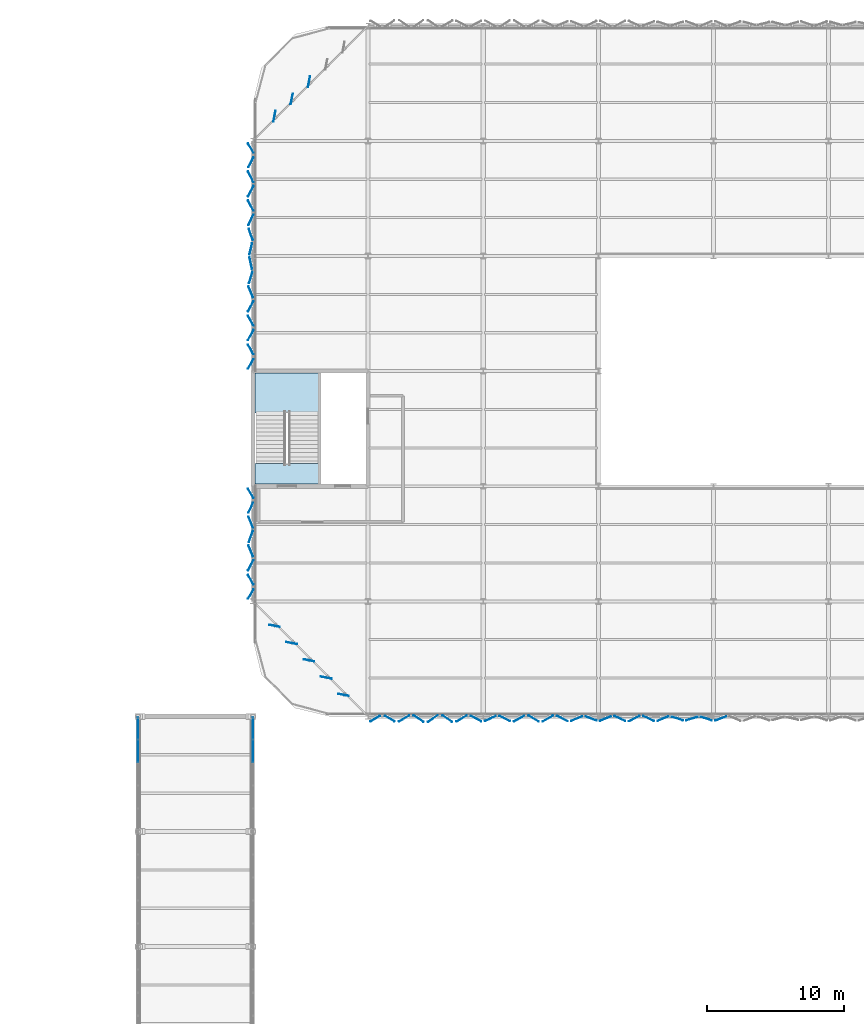
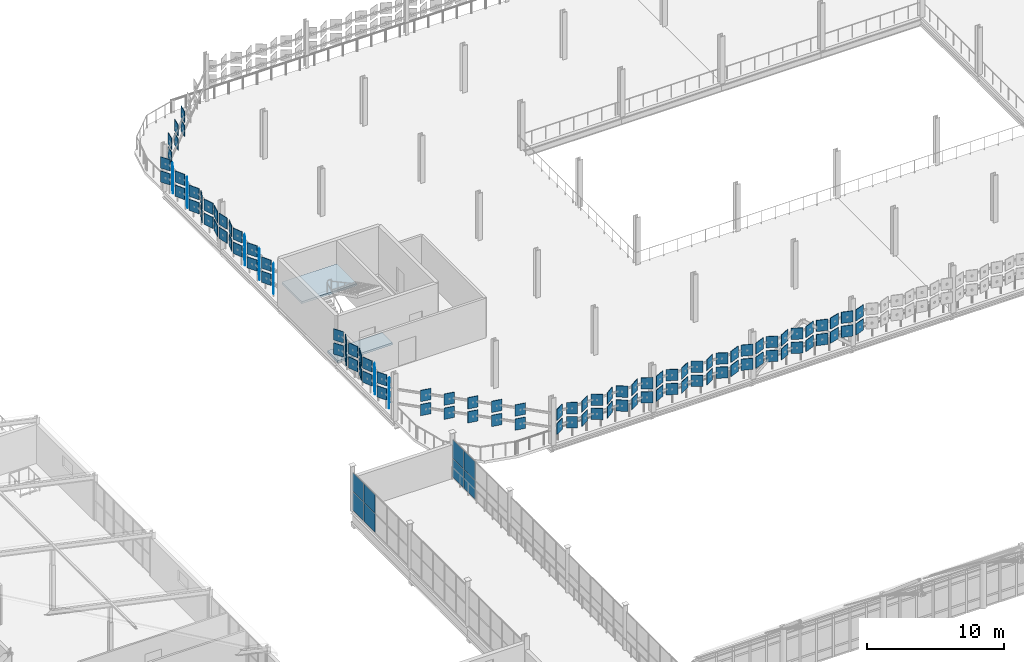
# One storey, part 143 of 184: 122 plates, 2 slabs, 3 elements without a shape of their own.
"""IFC4 building model written with IfcOpenShell, lengths in metres."""

from ifc_helpers import new_model, si_unit, direction, frame, origin, origin_2d, place, context, subcontext, project, spatial, polyline, rectangle, outline, extrude, material, layer, layer_set, type_object, element, aggregate, save


model = new_model("IFC4")

# Units and contexts
model_context = context("Model", 3, precision=1e-05, world=origin(), true_north=direction((0.0, 1.0)))
body_context = subcontext(model_context, "Body", "Model", "MODEL_VIEW")
ifc_project = project(units=[si_unit("LENGTHUNIT", "METRE"), si_unit("AREAUNIT", "SQUARE_METRE"), si_unit("VOLUMEUNIT", "CUBIC_METRE"), si_unit("PLANEANGLEUNIT", "RADIAN"), si_unit("MASSUNIT", "GRAM", prefix="KILO")], contexts=[model_context])

# Site, building, storey
site_placement = place(None, origin())
site = spatial("IfcSite", under=ifc_project, at=site_placement, CompositionType="ELEMENT")
building_placement = place(site_placement, origin())
building = spatial("IfcBuilding", under=site, at=building_placement, Name="Qalvenar Corner Mobility Hub", CompositionType="ELEMENT")
storey_placement = place(building_placement, frame((0.0, 0.0, 9.0)))
storey = spatial("IfcBuildingStorey", under=building, at=storey_placement, Name="L02", CompositionType="ELEMENT", Elevation=9.0)

# Curtain wall, plates
ifc_material_1 = material(Name="Anodised Aluminium and Low-E Glazing", Category="aluminium")
ifc_layer_1 = layer(ifc_material_1, 0.1201171875)
ifc_layer_set_1 = layer_set([ifc_layer_1], Name="Anodised Aluminium and Low-E Glazing")
curtain_wall_type = type_object("IfcCurtainWallType", Name="CW-BRG-84X28", PredefinedType="NOTDEFINED", material=ifc_layer_set_1)
curtain_wall_1_placement = place(storey_placement, origin())
curtain_wall_1 = element("IfcCurtainWall", 1, at=curtain_wall_1_placement, inside=storey, type_object=curtain_wall_type, Name="Glazed Curtain Wall CW-BRG-L02-W3", PredefinedType="NOTDEFINED")
ifc_material_2 = material(Name="Solar-Control Low-E Double Glazing", Category="glass")
ifc_layer_2 = layer(ifc_material_2, 0.028076171875)
ifc_layer_set_2 = layer_set([ifc_layer_2], Name="Solar-Control Low-E Double Glazing")
plate_type_1 = type_object("IfcPlateType", Name="PLT-CWP-GLZ1", PredefinedType="CURTAIN_PANEL", material=ifc_layer_set_2)
plate_1_placement = place(storey_placement, frame((50.39990234375, 66.344970703125, 0.054931640625), z_axis=(0.0, 0.0, 1.0), x_axis=(0.0, -1.0, 0.0)))
plate_1 = element("IfcPlate", 2, at=plate_1_placement, type_object=plate_type_1, Name="CW-11 panel 1.1", PredefinedType="CURTAIN_PANEL", context=body_context, shape_type="SweptSolid", body=[
    extrude(rectangle(XDim=1.590087890625, YDim=0.028076171875, at=origin_2d()), origin(), (0.0, 0.0, 1.0), 1.642578125),
])
plate_2_placement = place(storey_placement, frame((50.39990234375, 66.344970703125, 1.75244140625), z_axis=(0.0, 0.0, 1.0), x_axis=(0.0, -1.0, 0.0)))
plate_2 = element("IfcPlate", 3, at=plate_2_placement, type_object=plate_type_1, Name="CW-11 panel 1.2", PredefinedType="CURTAIN_PANEL", context=body_context, shape_type="SweptSolid", body=[
    extrude(rectangle(XDim=1.590087890625, YDim=0.028076171875, at=origin_2d()), origin(), (0.0, 0.0, 1.0), 1.642578125),
])
plate_3_placement = place(storey_placement, frame((50.39990234375, 64.679931640625, 0.054931640625), z_axis=(0.0, 0.0, 1.0), x_axis=(0.0, -1.0, 0.0)))
plate_3 = element("IfcPlate", 4, at=plate_3_placement, type_object=plate_type_1, Name="CW-11 panel 2.1", PredefinedType="CURTAIN_PANEL", context=body_context, shape_type="SweptSolid", body=[
    extrude(rectangle(XDim=1.6201171875, YDim=0.028076171875, at=origin_2d()), origin(), (0.0, 0.0, 1.0), 1.642578125),
])
plate_4_placement = place(storey_placement, frame((50.39990234375, 64.679931640625, 1.75244140625), z_axis=(0.0, 0.0, 1.0), x_axis=(0.0, -1.0, 0.0)))
plate_4 = element("IfcPlate", 5, at=plate_4_placement, type_object=plate_type_1, Name="CW-11 panel 2.2", PredefinedType="CURTAIN_PANEL", context=body_context, shape_type="SweptSolid", body=[
    extrude(rectangle(XDim=1.6201171875, YDim=0.028076171875, at=origin_2d()), origin(), (0.0, 0.0, 1.0), 1.642578125),
])
aggregate(curtain_wall_1, [plate_1, plate_2, plate_3, plate_4])

curtain_wall_2_placement = place(storey_placement, origin())
curtain_wall_2 = element("IfcCurtainWall", 6, at=curtain_wall_2_placement, inside=storey, type_object=curtain_wall_type, Name="Glazed Curtain Wall CW-BRG-L02-E3", PredefinedType="NOTDEFINED")
plate_5_placement = place(storey_placement, frame((58.800048828125, 64.679931640625, 0.054931640625), z_axis=(0.0, 0.0, 1.0), x_axis=(0.0, 1.0, 0.0)))
plate_5 = element("IfcPlate", 7, at=plate_5_placement, type_object=plate_type_1, Name="CW-11 panel 4.1", PredefinedType="CURTAIN_PANEL", context=body_context, shape_type="SweptSolid", body=[
    extrude(rectangle(XDim=1.6201171875, YDim=0.028076171875, at=origin_2d()), origin(), (0.0, 0.0, 1.0), 1.642578125),
])
plate_6_placement = place(storey_placement, frame((58.800048828125, 64.679931640625, 1.75244140625), z_axis=(0.0, 0.0, 1.0), x_axis=(0.0, 1.0, 0.0)))
plate_6 = element("IfcPlate", 8, at=plate_6_placement, type_object=plate_type_1, Name="CW-11 panel 4.2", PredefinedType="CURTAIN_PANEL", context=body_context, shape_type="SweptSolid", body=[
    extrude(rectangle(XDim=1.6201171875, YDim=0.028076171875, at=origin_2d()), origin(), (0.0, 0.0, 1.0), 1.642578125),
])
plate_7_placement = place(storey_placement, frame((58.800048828125, 66.344970703125, 0.054931640625), z_axis=(0.0, 0.0, 1.0), x_axis=(0.0, 1.0, 0.0)))
plate_7 = element("IfcPlate", 9, at=plate_7_placement, type_object=plate_type_1, Name="CW-11 panel 5.1", PredefinedType="CURTAIN_PANEL", context=body_context, shape_type="SweptSolid", body=[
    extrude(rectangle(XDim=1.590087890625, YDim=0.028076171875, at=origin_2d()), origin(), (0.0, 0.0, 1.0), 1.642578125),
])
plate_8_placement = place(storey_placement, frame((58.800048828125, 66.344970703125, 1.75244140625), z_axis=(0.0, 0.0, 1.0), x_axis=(0.0, 1.0, 0.0)))
plate_8 = element("IfcPlate", 10, at=plate_8_placement, type_object=plate_type_1, Name="CW-11 panel 5.2", PredefinedType="CURTAIN_PANEL", context=body_context, shape_type="SweptSolid", body=[
    extrude(rectangle(XDim=1.590087890625, YDim=0.028076171875, at=origin_2d()), origin(), (0.0, 0.0, 1.0), 1.642578125),
])
aggregate(curtain_wall_2, [plate_5, plate_6, plate_7, plate_8])

# Plates
ifc_material_3 = material(Name="Amber-Bronze Anodised Aluminium", Category="aluminium")
ifc_layer_3 = layer(ifc_material_3, 0.0400390625)
ifc_layer_set_3 = layer_set([ifc_layer_3], Name="Amber-Bronze Anodised Aluminium")
plate_type_2 = type_object("IfcPlateType", Name="PLT-XC-L2-CRN", PredefinedType="SHEET", material=ifc_layer_set_3)
for number, where, z_axis, x_axis, name in (
    (11, (67.72509765625, 67.0400390625, 1.0), (0.0, 0.0, 1.0), (0.854911870673, 0.518773258161, 0.0), "Hinged Facade Panel FP-L02-0361"),
    (12, (67.72509765625, 67.0400390625, 2.25), (0.0, 0.0, 1.0), (0.854911870673, 0.518773258161, 0.0), "Hinged Facade Panel FP-L02-0362"),
    (13, (68.77490234375, 67.0400390625, 1.0), (0.0, 0.0, 1.0), (0.871299476719, -0.490751690644, 0.0), "Hinged Facade Panel FP-L02-0363"),
    (14, (68.77490234375, 67.0400390625, 2.25), (0.0, 0.0, 1.0), (0.871299476719, -0.490751690644, 0.0), "Hinged Facade Panel FP-L02-0364"),
    (15, (58.639892578125, 83.47509765625, 1.0), (0.0, 0.0, 1.0), (0.518773258161, -0.854911870673, 0.0), "Hinged Facade Panel FP-L02-0617"),
    (16, (58.639892578125, 83.47509765625, 2.25), (0.0, 0.0, 1.0), (0.518773258161, -0.854911870673, 0.0), "Hinged Facade Panel FP-L02-0618"),
    (17, (58.639892578125, 82.425048828125, 1.0), (0.0, 0.0, 1.0), (-0.422934597085, -0.906160210221, 0.0), "Hinged Facade Panel FP-L02-0619"),
    (18, (58.639892578125, 82.425048828125, 2.25), (0.0, 0.0, 1.0), (-0.422934597085, -0.906160210221, 0.0), "Hinged Facade Panel FP-L02-0620"),
    (19, (58.639892578125, 77.175048828125, 1.0), (0.0, 0.0, 1.0), (0.492423560103, -0.87035569594, 0.0), "Hinged Facade Panel FP-L02-0629"),
    (20, (58.639892578125, 77.175048828125, 2.25), (0.0, 0.0, 1.0), (0.492423560103, -0.87035569594, 0.0), "Hinged Facade Panel FP-L02-0630"),
    (21, (58.639892578125, 76.125, 1.0), (0.0, 0.0, 1.0), (-0.518027009373, -0.855364260161, 0.0), "Hinged Facade Panel FP-L02-0631"),
    (22, (58.639892578125, 76.125, 2.25), (0.0, 0.0, 1.0), (-0.518027009373, -0.855364260161, 0.0), "Hinged Facade Panel FP-L02-0632"),
    (23, (58.639892578125, 108.675048828125, 1.0), (0.0, 0.0, 1.0), (0.518773258161, -0.854911870673, 0.0), "Hinged Facade Panel FP-L02-0633"),
    (24, (58.639892578125, 108.675048828125, 2.25), (0.0, 0.0, 1.0), (0.518773258161, -0.854911870673, 0.0), "Hinged Facade Panel FP-L02-0634"),
    (25, (58.639892578125, 107.625, 1.0), (0.0, 0.0, 1.0), (-0.462058210288, -0.886849598469, 0.0), "Hinged Facade Panel FP-L02-0635"),
    (26, (58.639892578125, 107.625, 2.25), (0.0, 0.0, 1.0), (-0.462058210288, -0.886849598469, 0.0), "Hinged Facade Panel FP-L02-0636"),
    (27, (58.639892578125, 93.97509765625, 1.0), (0.0, 0.0, 1.0), (0.479457860256, -0.877564903719, 0.0), "Hinged Facade Panel FP-L02-0661"),
    (28, (58.639892578125, 93.97509765625, 2.25), (0.0, 0.0, 1.0), (0.479457860256, -0.877564903719, 0.0), "Hinged Facade Panel FP-L02-0662"),
    (29, (58.639892578125, 92.925048828125, 1.0), (0.0, 0.0, 1.0), (-0.500453381281, -0.865763485696, 0.0), "Hinged Facade Panel FP-L02-0663"),
    (30, (58.639892578125, 92.925048828125, 2.25), (0.0, 0.0, 1.0), (-0.500453381281, -0.865763485696, 0.0), "Hinged Facade Panel FP-L02-0664"),
    (31, (60.366943359375, 73.806884765625, 1.0), (0.0, 0.0, 1.0), (0.981627183448, -0.190808995377, 0.0), "Corner Hinged Panel FPC-L02-0681"),
    (32, (61.626953125, 72.546875, 1.0), (0.0, 0.0, 1.0), (0.981627183448, -0.190808995377, 0.0), "Corner Hinged Panel FPC-L02-0682"),
    (33, (62.886962890625, 71.286865234375, 1.0), (0.0, 0.0, 1.0), (0.981627183448, -0.190808995377, 0.0), "Corner Hinged Panel FPC-L02-0683"),
    (34, (64.14697265625, 70.02685546875, 1.0), (0.0, 0.0, 1.0), (0.981627183448, -0.190808995377, 0.0), "Corner Hinged Panel FPC-L02-0684"),
    (35, (65.406982421875, 68.766845703125, 1.0), (0.0, 0.0, 1.0), (0.981627183448, -0.190808995377, 0.0), "Corner Hinged Panel FPC-L02-0685"),
    (36, (60.366943359375, 73.806884765625, 2.25), (0.0, 0.0, 1.0), (0.981627183448, -0.190808995377, 0.0), "Corner Hinged Panel FPC-L02-0686"),
    (37, (61.626953125, 72.546875, 2.25), (0.0, 0.0, 1.0), (0.981627183448, -0.190808995377, 0.0), "Corner Hinged Panel FPC-L02-0687"),
    (38, (62.886962890625, 71.286865234375, 2.25), (0.0, 0.0, 1.0), (0.981627183448, -0.190808995377, 0.0), "Corner Hinged Panel FPC-L02-0688"),
    (39, (64.14697265625, 70.02685546875, 2.25), (0.0, 0.0, 1.0), (0.981627183448, -0.190808995377, 0.0), "Corner Hinged Panel FPC-L02-0689"),
    (40, (65.406982421875, 68.766845703125, 2.25), (0.0, 0.0, 1.0), (0.981627183448, -0.190808995377, 0.0), "Corner Hinged Panel FPC-L02-0690"),
    (41, (62.886962890625, 113.51318359375, 1.0), (0.0, 0.0, 1.0), (-0.190808995377, -0.981627183448, 0.0), "Corner Hinged Panel FPC-L02-0713"),
    (42, (61.626953125, 112.253173828125, 1.0), (0.0, 0.0, 1.0), (-0.190808995377, -0.981627183448, 0.0), "Corner Hinged Panel FPC-L02-0714"),
    (43, (60.366943359375, 110.9931640625, 1.0), (0.0, 0.0, 1.0), (-0.190808995377, -0.981627183448, 0.0), "Corner Hinged Panel FPC-L02-0715"),
    (44, (62.886962890625, 113.51318359375, 2.25), (0.0, 0.0, 1.0), (-0.190808995377, -0.981627183448, 0.0), "Corner Hinged Panel FPC-L02-0718"),
    (45, (61.626953125, 112.253173828125, 2.25), (0.0, 0.0, 1.0), (-0.190808995377, -0.981627183448, 0.0), "Corner Hinged Panel FPC-L02-0719"),
    (46, (60.366943359375, 110.9931640625, 2.25), (0.0, 0.0, 1.0), (-0.190808995377, -0.981627183448, 0.0), "Corner Hinged Panel FPC-L02-0720"),
):
    element("IfcPlate", number, at=place(storey_placement, frame(where, z_axis=z_axis, x_axis=x_axis)), inside=storey, type_object=plate_type_2, Name=name, PredefinedType="SHEET", context=body_context, shape_type="SweptSolid", body=[
        extrude(rectangle(XDim=0.800048828125, YDim=0.0400390625, at=origin_2d()), origin(), (0.0, 0.0, 1.0), 1.0),
    ])
ifc_layer_4 = layer(ifc_material_3, 0.0380859375)
ifc_layer_set_4 = layer_set([ifc_layer_4], Name="Amber-Bronze Anodised Aluminium")
plate_type_3 = type_object("IfcPlateType", Name="PLT-XC-L2-STD", PredefinedType="SHEET", material=ifc_layer_set_4)
for number, where, z_axis, x_axis, name in (
    (47, (69.824951171875, 67.0400390625, 1.0), (0.0, 0.0, 1.0), (0.861185921638, 0.508290082898, 0.0), "Hinged Facade Panel FP-L02-0365"),
    (48, (69.824951171875, 67.0400390625, 2.25), (0.0, 0.0, 1.0), (0.861185921638, 0.508290082898, 0.0), "Hinged Facade Panel FP-L02-0366"),
    (49, (70.875, 67.0400390625, 1.0), (0.0, 0.0, 1.0), (0.835135979853, -0.550043539327, 0.0), "Hinged Facade Panel FP-L02-0367"),
    (50, (70.875, 67.0400390625, 2.25), (0.0, 0.0, 1.0), (0.835135979853, -0.550043539327, 0.0), "Hinged Facade Panel FP-L02-0368"),
    (51, (71.925048828125, 67.0400390625, 1.0), (0.0, 0.0, 1.0), (0.819152044289, 0.573576436351, 0.0), "Hinged Facade Panel FP-L02-0369"),
    (52, (71.925048828125, 67.0400390625, 2.25), (0.0, 0.0, 1.0), (0.819152044289, 0.573576436351, 0.0), "Hinged Facade Panel FP-L02-0370"),
    (53, (72.97509765625, 67.0400390625, 1.0), (0.0, 0.0, 1.0), (0.826196635763, -0.563381859003, 0.0), "Hinged Facade Panel FP-L02-0371"),
    (54, (72.97509765625, 67.0400390625, 2.25), (0.0, 0.0, 1.0), (0.826196635763, -0.563381859003, 0.0), "Hinged Facade Panel FP-L02-0372"),
    (55, (74.02490234375, 67.0400390625, 1.0), (0.0, 0.0, 1.0), (0.859406411501, 0.511293086077, 0.0), "Hinged Facade Panel FP-L02-0373"),
    (56, (74.02490234375, 67.0400390625, 2.25), (0.0, 0.0, 1.0), (0.859406411501, 0.511293086077, 0.0), "Hinged Facade Panel FP-L02-0374"),
    (57, (75.074951171875, 67.0400390625, 1.0), (0.0, 0.0, 1.0), (0.892349617181, -0.451344835704, 0.0), "Hinged Facade Panel FP-L02-0375"),
    (58, (75.074951171875, 67.0400390625, 2.25), (0.0, 0.0, 1.0), (0.892349617181, -0.451344835704, 0.0), "Hinged Facade Panel FP-L02-0376"),
    (59, (76.125, 67.0400390625, 1.0), (0.0, 0.0, 1.0), (0.906160210221, 0.422934597085, 0.0), "Hinged Facade Panel FP-L02-0377"),
    (60, (76.125, 67.0400390625, 2.25), (0.0, 0.0, 1.0), (0.906160210221, 0.422934597085, 0.0), "Hinged Facade Panel FP-L02-0378"),
    (61, (77.175048828125, 67.0400390625, 1.0), (0.0, 0.0, 1.0), (0.897027074767, -0.441975595633, 0.0), "Hinged Facade Panel FP-L02-0379"),
    (62, (77.175048828125, 67.0400390625, 2.25), (0.0, 0.0, 1.0), (0.897027074767, -0.441975595633, 0.0), "Hinged Facade Panel FP-L02-0380"),
    (63, (78.22509765625, 67.0400390625, 1.0), (0.0, 0.0, 1.0), (0.874111536221, 0.485725253868, 0.0), "Hinged Facade Panel FP-L02-0381"),
    (64, (78.22509765625, 67.0400390625, 2.25), (0.0, 0.0, 1.0), (0.874111536221, 0.485725253868, 0.0), "Hinged Facade Panel FP-L02-0382"),
    (65, (79.27490234375, 67.0400390625, 1.0), (0.0, 0.0, 1.0), (0.858064905724, -0.513541252058, 0.0), "Hinged Facade Panel FP-L02-0383"),
    (66, (79.27490234375, 67.0400390625, 2.25), (0.0, 0.0, 1.0), (0.858064905724, -0.513541252058, 0.0), "Hinged Facade Panel FP-L02-0384"),
    (67, (80.324951171875, 67.0400390625, 1.0), (0.0, 0.0, 1.0), (0.867070701164, 0.498185105339, 0.0), "Hinged Facade Panel FP-L02-0385"),
    (68, (80.324951171875, 67.0400390625, 2.25), (0.0, 0.0, 1.0), (0.867070701164, 0.498185105339, 0.0), "Hinged Facade Panel FP-L02-0386"),
    (69, (81.375, 67.0400390625, 1.0), (0.0, 0.0, 1.0), (0.896409086219, -0.443227650474, 0.0), "Hinged Facade Panel FP-L02-0387"),
    (70, (81.375, 67.0400390625, 2.25), (0.0, 0.0, 1.0), (0.896409086219, -0.443227650474, 0.0), "Hinged Facade Panel FP-L02-0388"),
    (71, (82.425048828125, 67.0400390625, 1.0), (0.0, 0.0, 1.0), (0.924546033612, 0.38107037635, 0.0), "Hinged Facade Panel FP-L02-0389"),
    (72, (82.425048828125, 67.0400390625, 2.25), (0.0, 0.0, 1.0), (0.924546033612, 0.38107037635, 0.0), "Hinged Facade Panel FP-L02-0390"),
    (73, (83.47509765625, 67.0400390625, 1.0), (0.0, 0.0, 1.0), (0.935752139592, -0.352658380374, 0.0), "Hinged Facade Panel FP-L02-0391"),
    (74, (83.47509765625, 67.0400390625, 2.25), (0.0, 0.0, 1.0), (0.935752139592, -0.352658380374, 0.0), "Hinged Facade Panel FP-L02-0392"),
    (75, (84.52490234375, 67.0400390625, 1.0), (0.0, 0.0, 1.0), (0.927771141119, 0.37314971487, 0.0), "Hinged Facade Panel FP-L02-0393"),
    (76, (84.52490234375, 67.0400390625, 2.25), (0.0, 0.0, 1.0), (0.927771141119, 0.37314971487, 0.0), "Hinged Facade Panel FP-L02-0394"),
    (77, (85.574951171875, 67.0400390625, 1.0), (0.0, 0.0, 1.0), (0.908143173825, -0.418659737537, 0.0), "Hinged Facade Panel FP-L02-0395"),
    (78, (85.574951171875, 67.0400390625, 2.25), (0.0, 0.0, 1.0), (0.908143173825, -0.418659737537, 0.0), "Hinged Facade Panel FP-L02-0396"),
    (79, (86.625, 67.0400390625, 1.0), (0.0, 0.0, 1.0), (0.894544639838, 0.446978620671, 0.0), "Hinged Facade Panel FP-L02-0397"),
    (80, (86.625, 67.0400390625, 2.25), (0.0, 0.0, 1.0), (0.894544639838, 0.446978620671, 0.0), "Hinged Facade Panel FP-L02-0398"),
    (81, (87.675048828125, 67.0400390625, 1.0), (0.0, 0.0, 1.0), (0.902810575698, -0.430038445267, 0.0), "Hinged Facade Panel FP-L02-0399"),
    (82, (87.675048828125, 67.0400390625, 2.25), (0.0, 0.0, 1.0), (0.902810575698, -0.430038445267, 0.0), "Hinged Facade Panel FP-L02-0400"),
    (83, (88.72509765625, 67.0400390625, 1.0), (0.0, 0.0, 1.0), (0.928096422365, 0.372339939832, 0.0), "Hinged Facade Panel FP-L02-0401"),
    (84, (88.72509765625, 67.0400390625, 2.25), (0.0, 0.0, 1.0), (0.928096422365, 0.372339939832, 0.0), "Hinged Facade Panel FP-L02-0402"),
    (85, (89.77490234375, 67.0400390625, 1.0), (0.0, 0.0, 1.0), (0.951164325631, -0.308684994204, 0.0), "Hinged Facade Panel FP-L02-0403"),
    (86, (89.77490234375, 67.0400390625, 2.25), (0.0, 0.0, 1.0), (0.951164325631, -0.308684994204, 0.0), "Hinged Facade Panel FP-L02-0404"),
    (87, (90.824951171875, 67.0400390625, 1.0), (0.0, 0.0, 1.0), (0.959854262938, 0.280499187022, 0.0), "Hinged Facade Panel FP-L02-0405"),
    (88, (90.824951171875, 67.0400390625, 2.25), (0.0, 0.0, 1.0), (0.959854262938, 0.280499187022, 0.0), "Hinged Facade Panel FP-L02-0406"),
    (89, (91.875, 67.0400390625, 1.0), (0.0, 0.0, 1.0), (0.953243426776, -0.30220352299, 0.0), "Hinged Facade Panel FP-L02-0407"),
    (90, (91.875, 67.0400390625, 2.25), (0.0, 0.0, 1.0), (0.953243426776, -0.30220352299, 0.0), "Hinged Facade Panel FP-L02-0408"),
    (91, (92.925048828125, 67.0400390625, 1.0), (0.0, 0.0, 1.0), (0.937038411905, 0.349226308593, 0.0), "Hinged Facade Panel FP-L02-0409"),
    (92, (92.925048828125, 67.0400390625, 2.25), (0.0, 0.0, 1.0), (0.937038411905, 0.349226308593, 0.0), "Hinged Facade Panel FP-L02-0410"),
    (93, (58.639892578125, 81.375, 1.0), (0.0, 0.0, 1.0), (0.37136783555, -0.928485826881, 0.0), "Hinged Facade Panel FP-L02-0621"),
    (94, (58.639892578125, 81.375, 2.25), (0.0, 0.0, 1.0), (0.37136783555, -0.928485826881, 0.0), "Hinged Facade Panel FP-L02-0622"),
    (95, (58.639892578125, 80.324951171875, 1.0), (0.0, 0.0, 1.0), (-0.346117057077, -0.938191335922, 0.0), "Hinged Facade Panel FP-L02-0623"),
    (96, (58.639892578125, 80.324951171875, 2.25), (0.0, 0.0, 1.0), (-0.346117057077, -0.938191335922, 0.0), "Hinged Facade Panel FP-L02-0624"),
    (97, (58.639892578125, 79.27490234375, 1.0), (0.0, 0.0, 1.0), (0.386710961637, -0.92220097167, 0.0), "Hinged Facade Panel FP-L02-0625"),
    (98, (58.639892578125, 79.27490234375, 2.25), (0.0, 0.0, 1.0), (0.386710961637, -0.92220097167, 0.0), "Hinged Facade Panel FP-L02-0626"),
    (99, (58.639892578125, 78.22509765625, 1.0), (0.0, 0.0, 1.0), (-0.460509662773, -0.887654691022, 0.0), "Hinged Facade Panel FP-L02-0627"),
    (100, (58.639892578125, 78.22509765625, 2.25), (0.0, 0.0, 1.0), (-0.460509662773, -0.887654691022, 0.0), "Hinged Facade Panel FP-L02-0628"),
    (101, (58.639892578125, 106.574951171875, 1.0), (0.0, 0.0, 1.0), (0.450877540689, -0.892585818452, 0.0), "Hinged Facade Panel FP-L02-0637"),
    (102, (58.639892578125, 106.574951171875, 2.25), (0.0, 0.0, 1.0), (0.450877540689, -0.892585818452, 0.0), "Hinged Facade Panel FP-L02-0638"),
    (103, (58.639892578125, 105.52490234375, 1.0), (0.0, 0.0, 1.0), (-0.465614520325, -0.884987637463, 0.0), "Hinged Facade Panel FP-L02-0639"),
    (104, (58.639892578125, 105.52490234375, 2.25), (0.0, 0.0, 1.0), (-0.465614520325, -0.884987637463, 0.0), "Hinged Facade Panel FP-L02-0640"),
    (105, (58.639892578125, 104.47509765625, 1.0), (0.0, 0.0, 1.0), (0.465614520325, -0.884987637463, 0.0), "Hinged Facade Panel FP-L02-0641"),
    (106, (58.639892578125, 104.47509765625, 2.25), (0.0, 0.0, 1.0), (0.465614520325, -0.884987637463, 0.0), "Hinged Facade Panel FP-L02-0642"),
    (107, (58.639892578125, 103.425048828125, 1.0), (0.0, 0.0, 1.0), (-0.4213524058, -0.90689698981, 0.0), "Hinged Facade Panel FP-L02-0643"),
    (108, (58.639892578125, 103.425048828125, 2.25), (0.0, 0.0, 1.0), (-0.4213524058, -0.90689698981, 0.0), "Hinged Facade Panel FP-L02-0644"),
    (109, (58.639892578125, 102.375, 1.0), (0.0, 0.0, 1.0), (0.333806859234, -0.942641491092, 0.0), "Hinged Facade Panel FP-L02-0645"),
    (110, (58.639892578125, 102.375, 2.25), (0.0, 0.0, 1.0), (0.333806859234, -0.942641491092, 0.0), "Hinged Facade Panel FP-L02-0646"),
    (111, (58.639892578125, 101.324951171875, 1.0), (0.0, 0.0, 1.0), (-0.236838146066, -0.971549119998, 0.0), "Hinged Facade Panel FP-L02-0647"),
    (112, (58.639892578125, 101.324951171875, 2.25), (0.0, 0.0, 1.0), (-0.236838146066, -0.971549119998, 0.0), "Hinged Facade Panel FP-L02-0648"),
    (113, (58.639892578125, 100.27490234375, 1.0), (0.0, 0.0, 1.0), (0.216780392341, -0.976220395964, 0.0), "Hinged Facade Panel FP-L02-0649"),
    (114, (58.639892578125, 100.27490234375, 2.25), (0.0, 0.0, 1.0), (0.216780392341, -0.976220395964, 0.0), "Hinged Facade Panel FP-L02-0650"),
    (115, (58.639892578125, 99.22509765625, 1.0), (0.0, 0.0, 1.0), (-0.289867105645, -0.957066905219, 0.0), "Hinged Facade Panel FP-L02-0651"),
    (116, (58.639892578125, 99.22509765625, 2.25), (0.0, 0.0, 1.0), (-0.289867105645, -0.957066905219, 0.0), "Hinged Facade Panel FP-L02-0652"),
    (117, (58.639892578125, 98.175048828125, 1.0), (0.0, 0.0, 1.0), (0.387676476022, -0.921795503319, 0.0), "Hinged Facade Panel FP-L02-0653"),
    (118, (58.639892578125, 98.175048828125, 2.25), (0.0, 0.0, 1.0), (0.387676476022, -0.921795503319, 0.0), "Hinged Facade Panel FP-L02-0654"),
    (119, (58.639892578125, 97.125, 1.0), (0.0, 0.0, 1.0), (-0.465923410914, -0.884825053421, 0.0), "Hinged Facade Panel FP-L02-0655"),
    (120, (58.639892578125, 97.125, 2.25), (0.0, 0.0, 1.0), (-0.465923410914, -0.884825053421, 0.0), "Hinged Facade Panel FP-L02-0656"),
    (121, (58.639892578125, 96.074951171875, 1.0), (0.0, 0.0, 1.0), (0.498185105339, -0.867070701164, 0.0), "Hinged Facade Panel FP-L02-0657"),
    (122, (58.639892578125, 96.074951171875, 2.25), (0.0, 0.0, 1.0), (0.498185105339, -0.867070701164, 0.0), "Hinged Facade Panel FP-L02-0658"),
    (123, (58.639892578125, 95.02490234375, 1.0), (0.0, 0.0, 1.0), (-0.491359852787, -0.870956655104, 0.0), "Hinged Facade Panel FP-L02-0659"),
    (124, (58.639892578125, 95.02490234375, 2.25), (0.0, 0.0, 1.0), (-0.491359852787, -0.870956655104, 0.0), "Hinged Facade Panel FP-L02-0660"),
):
    element("IfcPlate", number, at=place(storey_placement, frame(where, z_axis=z_axis, x_axis=x_axis)), inside=storey, type_object=plate_type_3, Name=name, PredefinedType="SHEET", context=body_context, shape_type="SweptSolid", body=[
        extrude(rectangle(XDim=0.860107421875, YDim=0.0380859375, at=origin_2d()), origin(), (0.0, 0.0, 1.0), 1.0),
    ])

# Stair, slab
ifc_material_4 = material(Name="Concrete C35/45", Category="concrete")
stair_type = type_object("IfcStairType", Name="STR-200-H42", PredefinedType="HALF_TURN_STAIR", material=ifc_material_4)
stair_placement = place(storey_placement, origin())
stair = element("IfcStair", 125, at=stair_placement, inside=storey, type_object=stair_type, Name="Exit Stair ST3 L02-L03", PredefinedType="HALF_TURN_STAIR")
ifc_layer_5 = layer(ifc_material_4, 0.179931640625)
ifc_layer_set_5 = layer_set([ifc_layer_5], Name="Concrete C35/45")
slab_type_1 = type_object("IfcSlabType", Name="SLB-LND180", PredefinedType="LANDING", material=ifc_layer_set_5)
slab_1_placement = place(storey_placement, frame((0.0, 0.0, 1.919921875)))
slab_1 = element("IfcSlab", 126, at=slab_1_placement, type_object=slab_type_1, Name="ST3 landing 1", PredefinedType="LANDING", context=body_context, shape_type="SweptSolid", body=[
    extrude(outline(polyline([(58.93994140625, 89.35009765625), (63.580078125, 89.35009765625), (63.580078125, 92.260009765625), (58.93994140625, 92.260009765625), (58.93994140625, 89.35009765625)])), origin(), (0.0, 0.0, 1.0), 0.18017578125),
])
aggregate(stair, [slab_1])

# Slab
ifc_layer_6 = layer(ifc_material_4, 0.175048828125)
ifc_layer_set_6 = layer_set([ifc_layer_6], Name="Concrete C35/45")
slab_type_2 = type_object("IfcSlabType", Name="SLB-LND200", PredefinedType="LANDING", material=ifc_layer_set_6)
slab_2_placement = place(storey_placement, frame((0.0, 0.0, -0.175048828125)))
element("IfcSlab", 127, at=slab_2_placement, inside=storey, type_object=slab_type_2, Name="Core Stair Arrival Landing C3-L02", PredefinedType="LANDING", context=body_context, shape_type="SweptSolid", body=[
    extrude(outline(polyline([(58.949951171875, 84.14990234375), (63.570068359375, 84.14990234375), (63.570068359375, 85.64990234375), (58.949951171875, 85.64990234375), (58.949951171875, 84.14990234375)])), origin(), (0.0, 0.0, 1.0), 0.175048828125),
])

save(model, "model.ifc")
